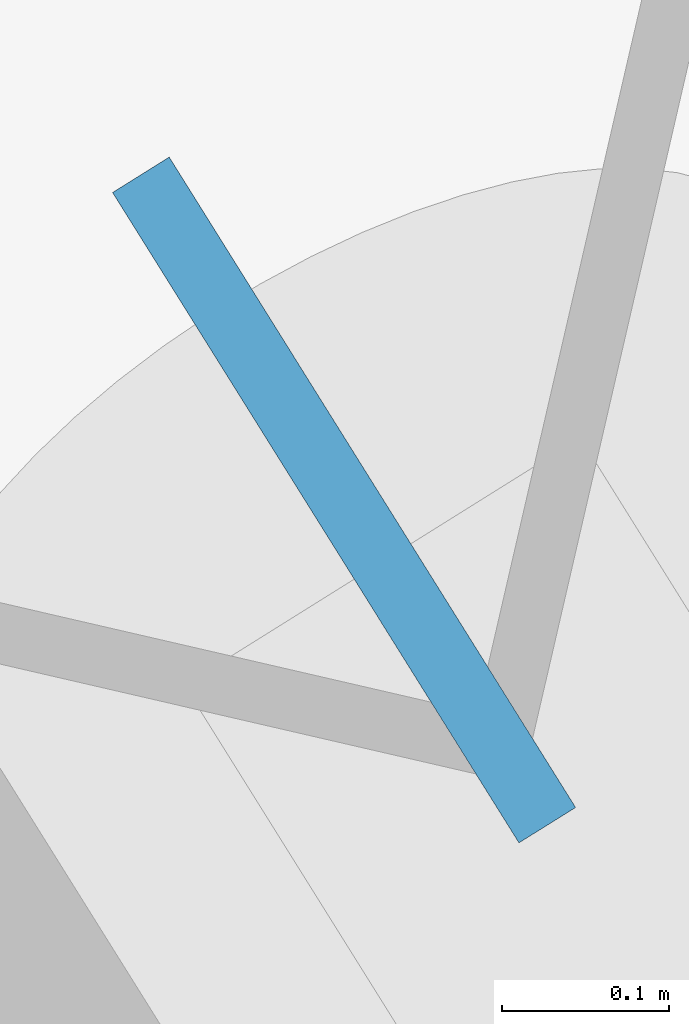
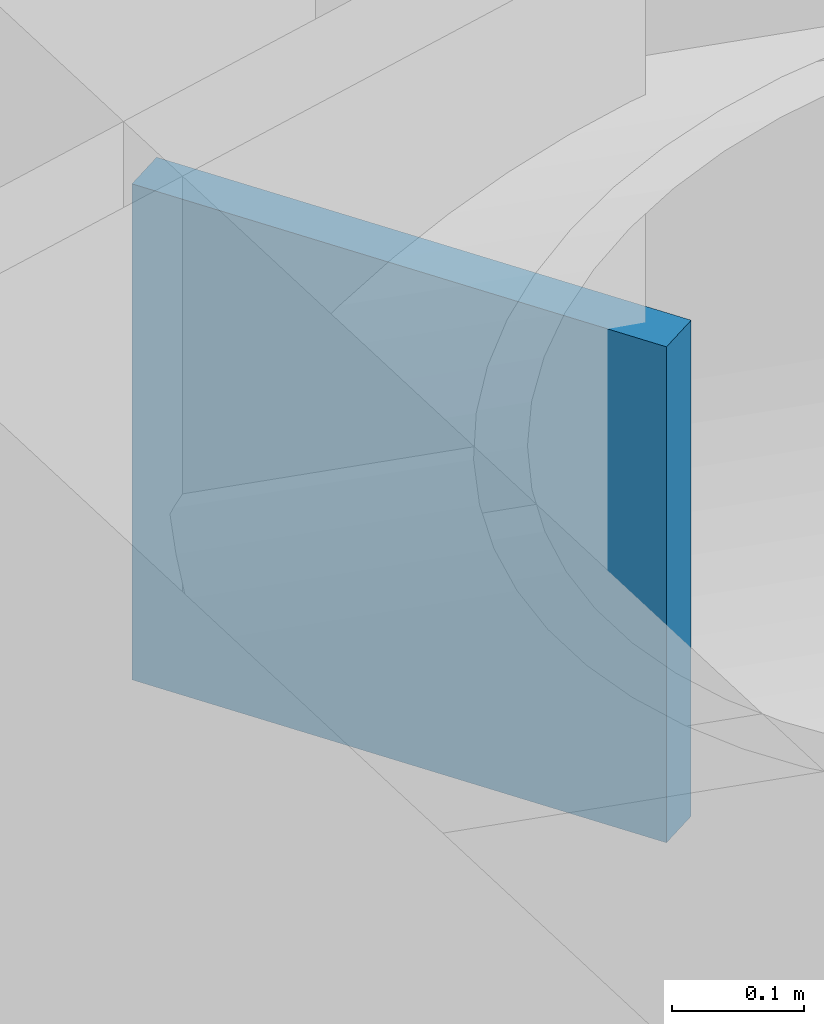
# One storey, part 18 of 20: 1 discrete accessory.
"""IFC4 building model written with IfcOpenShell, lengths in metres."""

from ifc_helpers import new_model, si_unit, direction, frame, origin, origin_2d, place, context, subcontext, project, spatial, rectangle, extrude, material, type_object, element, save


model = new_model("IFC4")

# Units and contexts
model_context = context("Model", 3, precision=1e-05, world=origin(), true_north=direction((0.0, 1.0)))
body_context = subcontext(model_context, "Body", "Model", "MODEL_VIEW")
ifc_project = project(units=[si_unit("LENGTHUNIT", "METRE"), si_unit("AREAUNIT", "SQUARE_METRE"), si_unit("VOLUMEUNIT", "CUBIC_METRE"), si_unit("PLANEANGLEUNIT", "RADIAN"), si_unit("MASSUNIT", "GRAM", prefix="KILO")], contexts=[model_context])

# Site, building, storey
site_placement = place(None, origin())
site = spatial("IfcSite", under=ifc_project, at=site_placement, CompositionType="ELEMENT")
building_placement = place(site_placement, origin())
building = spatial("IfcBuilding", under=site, at=building_placement, Name="Tavrogorsk Clinical Tower", CompositionType="ELEMENT")
storey_placement = place(building_placement, frame((0.0, 0.0, 13.39990234375)))
storey = spatial("IfcBuildingStorey", under=building, at=storey_placement, Name="L02", CompositionType="ELEMENT", Elevation=13.39990234375)

# Discrete accessory
ifc_material = material(Name="Structural steel S440", Category="steel")
discrete_accessory_type = type_object("IfcDiscreteAccessoryType", Name="GussetPlateBracket_25", PredefinedType="BRACKET", material=ifc_material)
discrete_accessory_placement = place(storey_placement, frame((36.64453125, 14.496826171875, 0.25341796875), z_axis=(0.0, 0.0, 1.0), x_axis=(0.529919264233, -0.848048096156, 0.0)))
element("IfcDiscreteAccessory", 1, at=discrete_accessory_placement, inside=storey, type_object=discrete_accessory_type, Name="L02 Brace Gusset Plate EXOCRN-L02-2-A", PredefinedType="BRACKET", context=body_context, shape_type="SweptSolid", body=[
    extrude(rectangle(XDim=0.4599609375, YDim=0.0400390625, at=origin_2d()), origin(), (0.0, 0.0, 1.0), 0.4599609375),
])

save(model, "model.ifc")
